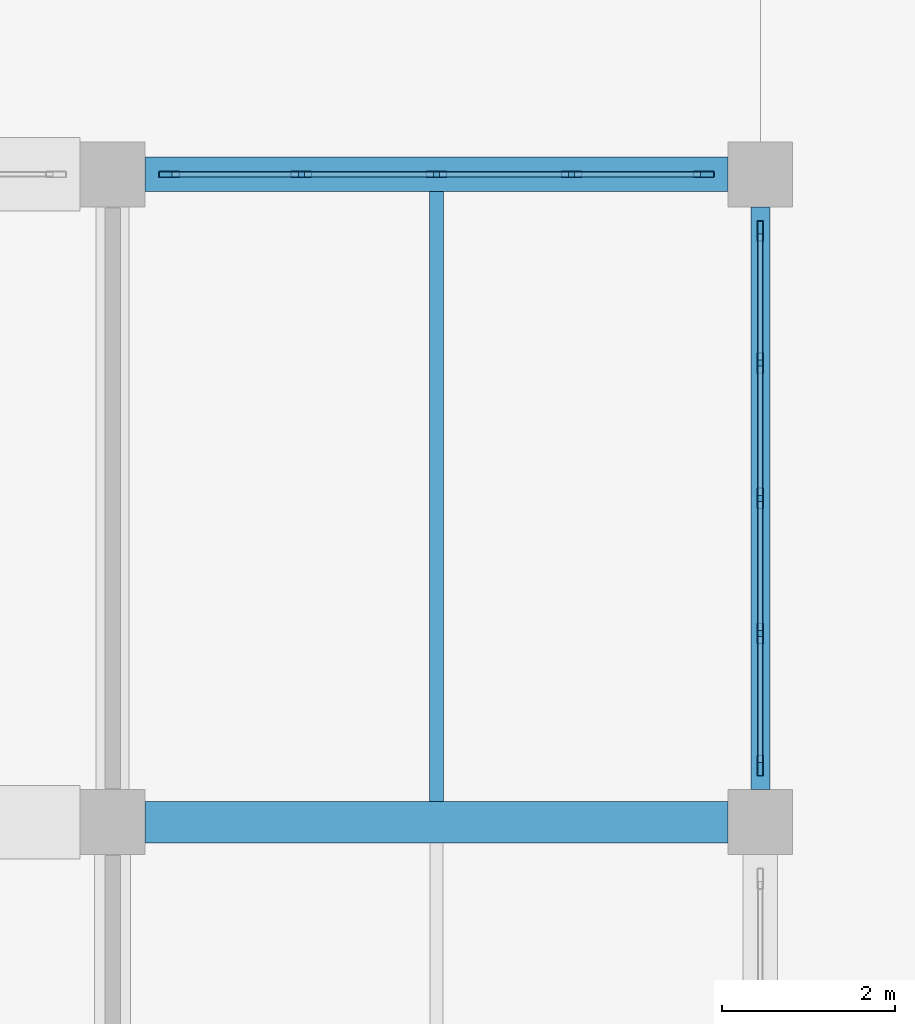
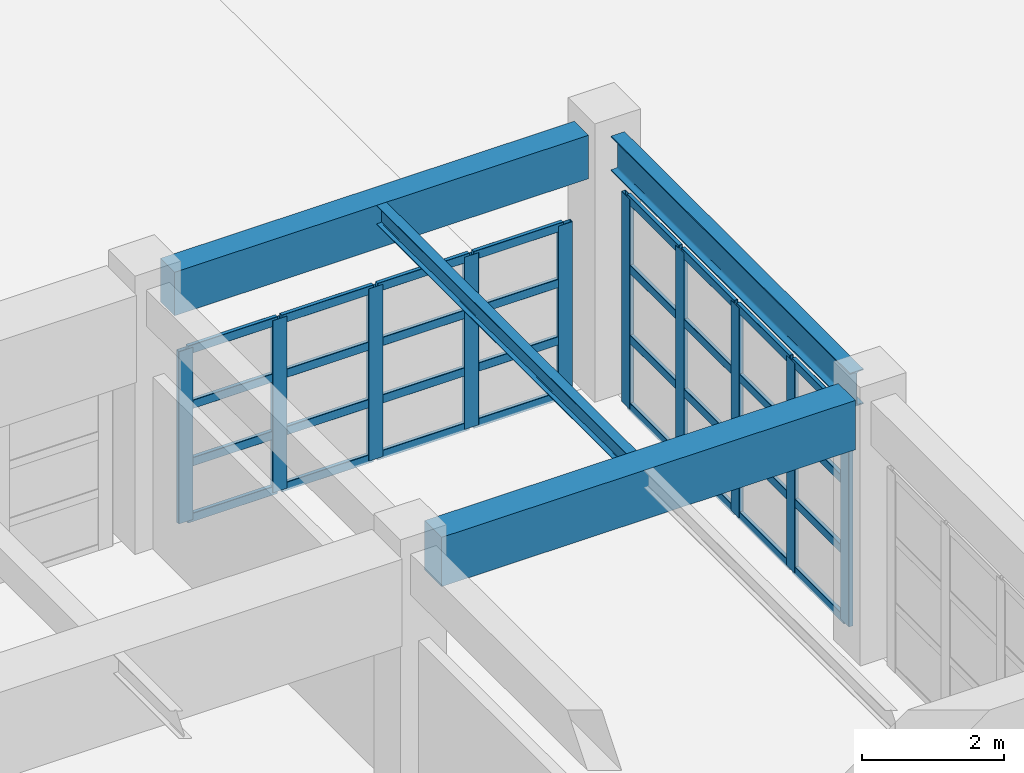
# One storey, part 21 of 122: 42 members, 4 beams, 2 elements without a shape of their own.
"""IFC4 building model written with IfcOpenShell, lengths in metres."""

from ifc_helpers import new_model, si_unit, direction, frame, origin, origin_2d, place, context, subcontext, project, spatial, rectangle, hollow_rectangle, i_section, extrude, material, material_profile, profile_set, type_object, element, aggregate, save


model = new_model("IFC4")

# Units and contexts
model_context = context("Model", 3, precision=1e-05, world=origin(), true_north=direction((0.0, 1.0)))
body_context = subcontext(model_context, "Body", "Model", "MODEL_VIEW")
ifc_project = project(units=[si_unit("LENGTHUNIT", "METRE"), si_unit("AREAUNIT", "SQUARE_METRE"), si_unit("VOLUMEUNIT", "CUBIC_METRE"), si_unit("PLANEANGLEUNIT", "RADIAN"), si_unit("MASSUNIT", "GRAM", prefix="KILO")], contexts=[model_context])

# Site, building, storey
site_placement = place(None, origin())
site = spatial("IfcSite", under=ifc_project, at=site_placement, CompositionType="ELEMENT")
building_placement = place(site_placement, origin())
building = spatial("IfcBuilding", under=site, at=building_placement, Name="Qasida Concert Hall", CompositionType="ELEMENT")
storey_placement = place(building_placement, origin())
storey = spatial("IfcBuildingStorey", under=building, at=storey_placement, Name="L00", CompositionType="ELEMENT", Elevation=0.0)

# Beams
ifc_material_1 = material(Name="Concrete C40/50", Category="concrete")
ifc_material_profile_1 = material_profile(ifc_material_1, rectangle(XDim=0.47998046875, YDim=0.85009765625, at=origin_2d()), Name="RC 480x850")
ifc_profile_set_1 = profile_set([ifc_material_profile_1], Name="Concrete C40/50")
beam_type_1 = type_object("IfcBeamType", Name="BM-G6", PredefinedType="USERDEFINED", material=ifc_profile_set_1)
beam_1_placement = place(storey_placement, frame((30.375, 45.0, 4.074951171875), z_axis=(1.0, 0.0, 0.0), x_axis=(0.0, 1.0, 0.0)))
element("IfcBeam", 1, at=beam_1_placement, inside=storey, type_object=beam_type_1, Name="Primary girder 0528", ObjectType="GIRDER", PredefinedType="USERDEFINED", context=body_context, shape_type="SweptSolid", body=[
    extrude(rectangle(XDim=0.47998046875, YDim=0.85009765625, at=origin_2d()), origin(), (0.0, 0.0, 1.0), 6.75),
])
ifc_material_2 = material(Name="Steel S355J2", Category="steel")
ifc_material_profile_2 = material_profile(ifc_material_2, i_section(OverallWidth=0.159912109375, OverallDepth=0.330078125, WebThickness=0.007568359375, FlangeThickness=0.011474609375, FilletRadius=0.01806640625, at=origin_2d()), Name="IPE 330")
ifc_profile_set_2 = profile_set([ifc_material_profile_2], Name="Steel S355J2")
beam_type_2 = type_object("IfcBeamType", Name="BM-J5", PredefinedType="JOIST", material=ifc_profile_set_2)
beam_2_placement = place(storey_placement, frame((33.75, 45.239990234375, 4.3349609375), z_axis=(0.0, 1.0, 0.0), x_axis=(-1.0, 0.0, 0.0)))
element("IfcBeam", 2, at=beam_2_placement, inside=storey, type_object=beam_type_2, Name="L00 secondary joist 0588", PredefinedType="JOIST", context=body_context, shape_type="SweptSolid", body=[
    extrude(i_section(OverallWidth=0.159912109375, OverallDepth=0.330078125, WebThickness=0.007568359375, FlangeThickness=0.011474609375, FilletRadius=0.01806640625, at=origin_2d()), origin(), (0.0, 0.0, 1.0), 7.06005859375),
])
ifc_material_profile_3 = material_profile(ifc_material_1, rectangle(XDim=0.39990234375, YDim=0.75, at=origin_2d()), Name="RC 400x750")
ifc_profile_set_3 = profile_set([ifc_material_profile_3], Name="Concrete C40/50")
beam_type_3 = type_object("IfcBeamType", Name="BM-SP1", PredefinedType="SPANDREL", material=ifc_profile_set_3)
beam_3_placement = place(storey_placement, frame((30.375, 52.5, 4.125), z_axis=(1.0, 0.0, 0.0), x_axis=(0.0, 1.0, 0.0)))
element("IfcBeam", 3, at=beam_3_placement, inside=storey, type_object=beam_type_3, Name="Primary girder 0531", PredefinedType="SPANDREL", context=body_context, shape_type="SweptSolid", body=[
    extrude(rectangle(XDim=0.39990234375, YDim=0.75, at=origin_2d()), origin(), (0.0, 0.0, 1.0), 6.75),
])
ifc_material_profile_4 = material_profile(ifc_material_2, i_section(OverallWidth=0.219970703125, OverallDepth=0.60009765625, WebThickness=0.011962890625, FlangeThickness=0.01904296875, FilletRadius=0.02392578125, at=origin_2d()), Name="IPE 600")
ifc_profile_set_4 = profile_set([ifc_material_profile_4], Name="Steel S355J2")
beam_type_4 = type_object("IfcBeamType", Name="BM-SP3", PredefinedType="SPANDREL", material=ifc_profile_set_4)
beam_4_placement = place(storey_placement, frame((37.5, 45.375, 4.199951171875), z_axis=(0.0, 1.0, 0.0), x_axis=(-1.0, 0.0, 0.0)))
element("IfcBeam", 4, at=beam_4_placement, inside=storey, type_object=beam_type_4, Name="L00 girder 0559", PredefinedType="SPANDREL", context=body_context, shape_type="SweptSolid", body=[
    extrude(i_section(OverallWidth=0.219970703125, OverallDepth=0.60009765625, WebThickness=0.011962890625, FlangeThickness=0.01904296875, FilletRadius=0.02392578125, at=origin_2d()), origin(), (0.0, 0.0, 1.0), 6.75),
])

# Curtain wall, members
ifc_material_3 = material(Name="Architectural bronze-anodized aluminium and low-E glass", Category="aluminium")
curtain_wall_type = type_object("IfcCurtainWallType", Name="CW-06", PredefinedType="NOTDEFINED", material=ifc_material_3)
curtain_wall_1_placement = place(storey_placement, origin())
curtain_wall_1 = element("IfcCurtainWall", 5, at=curtain_wall_1_placement, inside=storey, type_object=curtain_wall_type, Name="L00 curtain wall CW-06 0072", PredefinedType="NOTDEFINED")
ifc_material_4 = material(Name="Architectural bronze-anodized aluminium EN AW-6063", Category="aluminium")
ifc_material_profile_5 = material_profile(ifc_material_4, hollow_rectangle(XDim=0.070068359375, YDim=0.239990234375, WallThickness=0.0048828125, InnerFilletRadius=0.0048828125, OuterFilletRadius=0.010009765625, at=origin_2d()), Name="CWM 240x70x5")
ifc_profile_set_5 = profile_set([ifc_material_profile_5], Name="Architectural bronze-anodized aluminium EN AW-6063")
member_type_1 = type_object("IfcMemberType", Name="MB-CWM-1", PredefinedType="MULLION", material=ifc_profile_set_5)
member_1_placement = place(storey_placement, frame((30.655029296875, 52.5, 0.0), z_axis=(0.0, 0.0, 1.0), x_axis=(0.0, 1.0, 0.0)))
member_1 = element("IfcMember", 6, at=member_1_placement, type_object=member_type_1, Name="CW-06 mullion 1", PredefinedType="MULLION", context=body_context, shape_type="SweptSolid", body=[
    extrude(hollow_rectangle(XDim=0.070068359375, YDim=0.239990234375, WallThickness=0.0048828125, InnerFilletRadius=0.0048828125, OuterFilletRadius=0.010009765625, at=origin_2d()), origin(), (0.0, 0.0, 1.0), 2.969970703125),
])
member_2_placement = place(storey_placement, frame((32.18505859375, 52.5, 0.0), z_axis=(0.0, 0.0, 1.0), x_axis=(0.0, 1.0, 0.0)))
member_2 = element("IfcMember", 7, at=member_2_placement, type_object=member_type_1, Name="CW-06 mullion 2", PredefinedType="MULLION", context=body_context, shape_type="SweptSolid", body=[
    extrude(hollow_rectangle(XDim=0.070068359375, YDim=0.239990234375, WallThickness=0.0048828125, InnerFilletRadius=0.0048828125, OuterFilletRadius=0.010009765625, at=origin_2d()), origin(), (0.0, 0.0, 1.0), 2.969970703125),
])
member_3_placement = place(storey_placement, frame((33.75, 52.5, 0.0), z_axis=(0.0, 0.0, 1.0), x_axis=(0.0, 1.0, 0.0)))
member_3 = element("IfcMember", 8, at=member_3_placement, type_object=member_type_1, Name="CW-06 mullion 3", PredefinedType="MULLION", context=body_context, shape_type="SweptSolid", body=[
    extrude(hollow_rectangle(XDim=0.070068359375, YDim=0.239990234375, WallThickness=0.0048828125, InnerFilletRadius=0.0048828125, OuterFilletRadius=0.010009765625, at=origin_2d()), origin(), (0.0, 0.0, 1.0), 2.969970703125),
])
member_4_placement = place(storey_placement, frame((35.31494140625, 52.5, 0.0), z_axis=(0.0, 0.0, 1.0), x_axis=(0.0, 1.0, 0.0)))
member_4 = element("IfcMember", 9, at=member_4_placement, type_object=member_type_1, Name="CW-06 mullion 4", PredefinedType="MULLION", context=body_context, shape_type="SweptSolid", body=[
    extrude(hollow_rectangle(XDim=0.070068359375, YDim=0.239990234375, WallThickness=0.0048828125, InnerFilletRadius=0.0048828125, OuterFilletRadius=0.010009765625, at=origin_2d()), origin(), (0.0, 0.0, 1.0), 2.969970703125),
])
member_5_placement = place(storey_placement, frame((36.844970703125, 52.5, 0.0), z_axis=(0.0, 0.0, 1.0), x_axis=(0.0, 1.0, 0.0)))
member_5 = element("IfcMember", 10, at=member_5_placement, type_object=member_type_1, Name="CW-06 mullion 5", PredefinedType="MULLION", context=body_context, shape_type="SweptSolid", body=[
    extrude(hollow_rectangle(XDim=0.070068359375, YDim=0.239990234375, WallThickness=0.0048828125, InnerFilletRadius=0.0048828125, OuterFilletRadius=0.010009765625, at=origin_2d()), origin(), (0.0, 0.0, 1.0), 2.969970703125),
])

curtain_wall_2_placement = place(storey_placement, origin())
curtain_wall_2 = element("IfcCurtainWall", 11, at=curtain_wall_2_placement, inside=storey, type_object=curtain_wall_type, Name="L00 curtain wall CW-06 0080", PredefinedType="NOTDEFINED")
member_6_placement = place(storey_placement, frame((37.5, 45.655029296875, 0.0), z_axis=(0.0, 0.0, 1.0), x_axis=(-1.0, 0.0, 0.0)))
member_6 = element("IfcMember", 12, at=member_6_placement, type_object=member_type_1, Name="CW-06 mullion 1", PredefinedType="MULLION", context=body_context, shape_type="SweptSolid", body=[
    extrude(hollow_rectangle(XDim=0.070068359375, YDim=0.239990234375, WallThickness=0.0048828125, InnerFilletRadius=0.0048828125, OuterFilletRadius=0.010009765625, at=origin_2d()), origin(), (0.0, 0.0, 1.0), 3.6201171875),
])
member_7_placement = place(storey_placement, frame((37.5, 47.18505859375, 0.0), z_axis=(0.0, 0.0, 1.0), x_axis=(-1.0, 0.0, 0.0)))
member_7 = element("IfcMember", 13, at=member_7_placement, type_object=member_type_1, Name="CW-06 mullion 2", PredefinedType="MULLION", context=body_context, shape_type="SweptSolid", body=[
    extrude(hollow_rectangle(XDim=0.070068359375, YDim=0.239990234375, WallThickness=0.0048828125, InnerFilletRadius=0.0048828125, OuterFilletRadius=0.010009765625, at=origin_2d()), origin(), (0.0, 0.0, 1.0), 3.6201171875),
])
member_8_placement = place(storey_placement, frame((37.5, 48.75, 0.0), z_axis=(0.0, 0.0, 1.0), x_axis=(-1.0, 0.0, 0.0)))
member_8 = element("IfcMember", 14, at=member_8_placement, type_object=member_type_1, Name="CW-06 mullion 3", PredefinedType="MULLION", context=body_context, shape_type="SweptSolid", body=[
    extrude(hollow_rectangle(XDim=0.070068359375, YDim=0.239990234375, WallThickness=0.0048828125, InnerFilletRadius=0.0048828125, OuterFilletRadius=0.010009765625, at=origin_2d()), origin(), (0.0, 0.0, 1.0), 3.6201171875),
])
member_9_placement = place(storey_placement, frame((37.5, 50.31494140625, 0.0), z_axis=(0.0, 0.0, 1.0), x_axis=(-1.0, 0.0, 0.0)))
member_9 = element("IfcMember", 15, at=member_9_placement, type_object=member_type_1, Name="CW-06 mullion 4", PredefinedType="MULLION", context=body_context, shape_type="SweptSolid", body=[
    extrude(hollow_rectangle(XDim=0.070068359375, YDim=0.239990234375, WallThickness=0.0048828125, InnerFilletRadius=0.0048828125, OuterFilletRadius=0.010009765625, at=origin_2d()), origin(), (0.0, 0.0, 1.0), 3.6201171875),
])
member_10_placement = place(storey_placement, frame((37.5, 51.844970703125, 0.0), z_axis=(0.0, 0.0, 1.0), x_axis=(-1.0, 0.0, 0.0)))
member_10 = element("IfcMember", 16, at=member_10_placement, type_object=member_type_1, Name="CW-06 mullion 5", PredefinedType="MULLION", context=body_context, shape_type="SweptSolid", body=[
    extrude(hollow_rectangle(XDim=0.070068359375, YDim=0.239990234375, WallThickness=0.0048828125, InnerFilletRadius=0.0048828125, OuterFilletRadius=0.010009765625, at=origin_2d()), origin(), (0.0, 0.0, 1.0), 3.6201171875),
])

# Member
ifc_material_profile_6 = material_profile(ifc_material_4, hollow_rectangle(XDim=0.06494140625, YDim=0.14990234375, WallThickness=0.00390625, InnerFilletRadius=0.00390625, OuterFilletRadius=0.008056640625, at=origin_2d()), Name="CWT 150x65x4")
ifc_profile_set_6 = profile_set([ifc_material_profile_6], Name="Architectural bronze-anodized aluminium EN AW-6063")
member_type_2 = type_object("IfcMemberType", Name="MB-CWT-1", PredefinedType="USERDEFINED", material=ifc_profile_set_6)
member_11_placement = place(storey_placement, frame((30.68994140625, 52.5, 0.032470703125), z_axis=(1.0, 0.0, 0.0), x_axis=(0.0, 1.0, 0.0)))
member_11 = element("IfcMember", 17, at=member_11_placement, type_object=member_type_2, Name="CW-06 transom 1.1", ObjectType="TRANSOM", PredefinedType="USERDEFINED", context=body_context, shape_type="SweptSolid", body=[
    extrude(hollow_rectangle(XDim=0.06494140625, YDim=0.14990234375, WallThickness=0.00390625, InnerFilletRadius=0.00390625, OuterFilletRadius=0.008056640625, at=origin_2d()), origin(), (0.0, 0.0, 1.0), 1.4599609375),
])

member_12_placement = place(storey_placement, frame((30.68994140625, 52.5, 0.989990234375), z_axis=(1.0, 0.0, 0.0), x_axis=(0.0, 1.0, 0.0)))
member_12 = element("IfcMember", 18, at=member_12_placement, type_object=member_type_2, Name="CW-06 transom 1.2", ObjectType="TRANSOM", PredefinedType="USERDEFINED", context=body_context, shape_type="SweptSolid", body=[
    extrude(hollow_rectangle(XDim=0.06494140625, YDim=0.14990234375, WallThickness=0.00390625, InnerFilletRadius=0.00390625, OuterFilletRadius=0.008056640625, at=origin_2d()), origin(), (0.0, 0.0, 1.0), 1.4599609375),
])

member_13_placement = place(storey_placement, frame((30.68994140625, 52.5, 1.97998046875), z_axis=(1.0, 0.0, 0.0), x_axis=(0.0, 1.0, 0.0)))
member_13 = element("IfcMember", 19, at=member_13_placement, type_object=member_type_2, Name="CW-06 transom 1.3", ObjectType="TRANSOM", PredefinedType="USERDEFINED", context=body_context, shape_type="SweptSolid", body=[
    extrude(hollow_rectangle(XDim=0.06494140625, YDim=0.14990234375, WallThickness=0.00390625, InnerFilletRadius=0.00390625, OuterFilletRadius=0.008056640625, at=origin_2d()), origin(), (0.0, 0.0, 1.0), 1.4599609375),
])

member_14_placement = place(storey_placement, frame((30.68994140625, 52.5, 2.9375), z_axis=(1.0, 0.0, 0.0), x_axis=(0.0, 1.0, 0.0)))
member_14 = element("IfcMember", 20, at=member_14_placement, type_object=member_type_2, Name="CW-06 transom 1.4", ObjectType="TRANSOM", PredefinedType="USERDEFINED", context=body_context, shape_type="SweptSolid", body=[
    extrude(hollow_rectangle(XDim=0.06494140625, YDim=0.14990234375, WallThickness=0.00390625, InnerFilletRadius=0.00390625, OuterFilletRadius=0.008056640625, at=origin_2d()), origin(), (0.0, 0.0, 1.0), 1.4599609375),
])

member_15_placement = place(storey_placement, frame((32.219970703125, 52.5, 0.032470703125), z_axis=(1.0, 0.0, 0.0), x_axis=(0.0, 1.0, 0.0)))
member_15 = element("IfcMember", 21, at=member_15_placement, type_object=member_type_2, Name="CW-06 transom 2.1", ObjectType="TRANSOM", PredefinedType="USERDEFINED", context=body_context, shape_type="SweptSolid", body=[
    extrude(hollow_rectangle(XDim=0.06494140625, YDim=0.14990234375, WallThickness=0.00390625, InnerFilletRadius=0.00390625, OuterFilletRadius=0.008056640625, at=origin_2d()), origin(), (0.0, 0.0, 1.0), 1.4951171875),
])

member_16_placement = place(storey_placement, frame((32.219970703125, 52.5, 0.989990234375), z_axis=(1.0, 0.0, 0.0), x_axis=(0.0, 1.0, 0.0)))
member_16 = element("IfcMember", 22, at=member_16_placement, type_object=member_type_2, Name="CW-06 transom 2.2", ObjectType="TRANSOM", PredefinedType="USERDEFINED", context=body_context, shape_type="SweptSolid", body=[
    extrude(hollow_rectangle(XDim=0.06494140625, YDim=0.14990234375, WallThickness=0.00390625, InnerFilletRadius=0.00390625, OuterFilletRadius=0.008056640625, at=origin_2d()), origin(), (0.0, 0.0, 1.0), 1.4951171875),
])

member_17_placement = place(storey_placement, frame((32.219970703125, 52.5, 1.97998046875), z_axis=(1.0, 0.0, 0.0), x_axis=(0.0, 1.0, 0.0)))
member_17 = element("IfcMember", 23, at=member_17_placement, type_object=member_type_2, Name="CW-06 transom 2.3", ObjectType="TRANSOM", PredefinedType="USERDEFINED", context=body_context, shape_type="SweptSolid", body=[
    extrude(hollow_rectangle(XDim=0.06494140625, YDim=0.14990234375, WallThickness=0.00390625, InnerFilletRadius=0.00390625, OuterFilletRadius=0.008056640625, at=origin_2d()), origin(), (0.0, 0.0, 1.0), 1.4951171875),
])

member_18_placement = place(storey_placement, frame((32.219970703125, 52.5, 2.9375), z_axis=(1.0, 0.0, 0.0), x_axis=(0.0, 1.0, 0.0)))
member_18 = element("IfcMember", 24, at=member_18_placement, type_object=member_type_2, Name="CW-06 transom 2.4", ObjectType="TRANSOM", PredefinedType="USERDEFINED", context=body_context, shape_type="SweptSolid", body=[
    extrude(hollow_rectangle(XDim=0.06494140625, YDim=0.14990234375, WallThickness=0.00390625, InnerFilletRadius=0.00390625, OuterFilletRadius=0.008056640625, at=origin_2d()), origin(), (0.0, 0.0, 1.0), 1.4951171875),
])

member_19_placement = place(storey_placement, frame((33.784912109375, 52.5, 0.032470703125), z_axis=(1.0, 0.0, 0.0), x_axis=(0.0, 1.0, 0.0)))
member_19 = element("IfcMember", 25, at=member_19_placement, type_object=member_type_2, Name="CW-06 transom 3.1", ObjectType="TRANSOM", PredefinedType="USERDEFINED", context=body_context, shape_type="SweptSolid", body=[
    extrude(hollow_rectangle(XDim=0.06494140625, YDim=0.14990234375, WallThickness=0.00390625, InnerFilletRadius=0.00390625, OuterFilletRadius=0.008056640625, at=origin_2d()), origin(), (0.0, 0.0, 1.0), 1.4951171875),
])

member_20_placement = place(storey_placement, frame((33.784912109375, 52.5, 0.989990234375), z_axis=(1.0, 0.0, 0.0), x_axis=(0.0, 1.0, 0.0)))
member_20 = element("IfcMember", 26, at=member_20_placement, type_object=member_type_2, Name="CW-06 transom 3.2", ObjectType="TRANSOM", PredefinedType="USERDEFINED", context=body_context, shape_type="SweptSolid", body=[
    extrude(hollow_rectangle(XDim=0.06494140625, YDim=0.14990234375, WallThickness=0.00390625, InnerFilletRadius=0.00390625, OuterFilletRadius=0.008056640625, at=origin_2d()), origin(), (0.0, 0.0, 1.0), 1.4951171875),
])

member_21_placement = place(storey_placement, frame((33.784912109375, 52.5, 1.97998046875), z_axis=(1.0, 0.0, 0.0), x_axis=(0.0, 1.0, 0.0)))
member_21 = element("IfcMember", 27, at=member_21_placement, type_object=member_type_2, Name="CW-06 transom 3.3", ObjectType="TRANSOM", PredefinedType="USERDEFINED", context=body_context, shape_type="SweptSolid", body=[
    extrude(hollow_rectangle(XDim=0.06494140625, YDim=0.14990234375, WallThickness=0.00390625, InnerFilletRadius=0.00390625, OuterFilletRadius=0.008056640625, at=origin_2d()), origin(), (0.0, 0.0, 1.0), 1.4951171875),
])

member_22_placement = place(storey_placement, frame((33.784912109375, 52.5, 2.9375), z_axis=(1.0, 0.0, 0.0), x_axis=(0.0, 1.0, 0.0)))
member_22 = element("IfcMember", 28, at=member_22_placement, type_object=member_type_2, Name="CW-06 transom 3.4", ObjectType="TRANSOM", PredefinedType="USERDEFINED", context=body_context, shape_type="SweptSolid", body=[
    extrude(hollow_rectangle(XDim=0.06494140625, YDim=0.14990234375, WallThickness=0.00390625, InnerFilletRadius=0.00390625, OuterFilletRadius=0.008056640625, at=origin_2d()), origin(), (0.0, 0.0, 1.0), 1.4951171875),
])

member_23_placement = place(storey_placement, frame((35.35009765625, 52.5, 0.032470703125), z_axis=(1.0, 0.0, 0.0), x_axis=(0.0, 1.0, 0.0)))
member_23 = element("IfcMember", 29, at=member_23_placement, type_object=member_type_2, Name="CW-06 transom 4.1", ObjectType="TRANSOM", PredefinedType="USERDEFINED", context=body_context, shape_type="SweptSolid", body=[
    extrude(hollow_rectangle(XDim=0.06494140625, YDim=0.14990234375, WallThickness=0.00390625, InnerFilletRadius=0.00390625, OuterFilletRadius=0.008056640625, at=origin_2d()), origin(), (0.0, 0.0, 1.0), 1.4599609375),
])

member_24_placement = place(storey_placement, frame((35.35009765625, 52.5, 0.989990234375), z_axis=(1.0, 0.0, 0.0), x_axis=(0.0, 1.0, 0.0)))
member_24 = element("IfcMember", 30, at=member_24_placement, type_object=member_type_2, Name="CW-06 transom 4.2", ObjectType="TRANSOM", PredefinedType="USERDEFINED", context=body_context, shape_type="SweptSolid", body=[
    extrude(hollow_rectangle(XDim=0.06494140625, YDim=0.14990234375, WallThickness=0.00390625, InnerFilletRadius=0.00390625, OuterFilletRadius=0.008056640625, at=origin_2d()), origin(), (0.0, 0.0, 1.0), 1.4599609375),
])

member_25_placement = place(storey_placement, frame((35.35009765625, 52.5, 1.97998046875), z_axis=(1.0, 0.0, 0.0), x_axis=(0.0, 1.0, 0.0)))
member_25 = element("IfcMember", 31, at=member_25_placement, type_object=member_type_2, Name="CW-06 transom 4.3", ObjectType="TRANSOM", PredefinedType="USERDEFINED", context=body_context, shape_type="SweptSolid", body=[
    extrude(hollow_rectangle(XDim=0.06494140625, YDim=0.14990234375, WallThickness=0.00390625, InnerFilletRadius=0.00390625, OuterFilletRadius=0.008056640625, at=origin_2d()), origin(), (0.0, 0.0, 1.0), 1.4599609375),
])

member_26_placement = place(storey_placement, frame((35.35009765625, 52.5, 2.9375), z_axis=(1.0, 0.0, 0.0), x_axis=(0.0, 1.0, 0.0)))
member_26 = element("IfcMember", 32, at=member_26_placement, type_object=member_type_2, Name="CW-06 transom 4.4", ObjectType="TRANSOM", PredefinedType="USERDEFINED", context=body_context, shape_type="SweptSolid", body=[
    extrude(hollow_rectangle(XDim=0.06494140625, YDim=0.14990234375, WallThickness=0.00390625, InnerFilletRadius=0.00390625, OuterFilletRadius=0.008056640625, at=origin_2d()), origin(), (0.0, 0.0, 1.0), 1.4599609375),
])

aggregate(curtain_wall_1, [member_1, member_2, member_3, member_4, member_5, member_11, member_12, member_13, member_14, member_15, member_16, member_17, member_18, member_19, member_20, member_21, member_22, member_23, member_24, member_25, member_26])

member_27_placement = place(storey_placement, frame((37.5, 45.68994140625, 0.032470703125), z_axis=(0.0, 1.0, 0.0), x_axis=(-1.0, 0.0, 0.0)))
member_27 = element("IfcMember", 33, at=member_27_placement, type_object=member_type_2, Name="CW-06 transom 1.1", ObjectType="TRANSOM", PredefinedType="USERDEFINED", context=body_context, shape_type="SweptSolid", body=[
    extrude(hollow_rectangle(XDim=0.06494140625, YDim=0.14990234375, WallThickness=0.00390625, InnerFilletRadius=0.00390625, OuterFilletRadius=0.008056640625, at=origin_2d()), origin(), (0.0, 0.0, 1.0), 1.4599609375),
])

member_28_placement = place(storey_placement, frame((37.5, 45.68994140625, 1.206787109375), z_axis=(0.0, 1.0, 0.0), x_axis=(-1.0, 0.0, 0.0)))
member_28 = element("IfcMember", 34, at=member_28_placement, type_object=member_type_2, Name="CW-06 transom 1.2", ObjectType="TRANSOM", PredefinedType="USERDEFINED", context=body_context, shape_type="SweptSolid", body=[
    extrude(hollow_rectangle(XDim=0.06494140625, YDim=0.14990234375, WallThickness=0.00390625, InnerFilletRadius=0.00390625, OuterFilletRadius=0.008056640625, at=origin_2d()), origin(), (0.0, 0.0, 1.0), 1.4599609375),
])

member_29_placement = place(storey_placement, frame((37.5, 45.68994140625, 2.413330078125), z_axis=(0.0, 1.0, 0.0), x_axis=(-1.0, 0.0, 0.0)))
member_29 = element("IfcMember", 35, at=member_29_placement, type_object=member_type_2, Name="CW-06 transom 1.3", ObjectType="TRANSOM", PredefinedType="USERDEFINED", context=body_context, shape_type="SweptSolid", body=[
    extrude(hollow_rectangle(XDim=0.06494140625, YDim=0.14990234375, WallThickness=0.00390625, InnerFilletRadius=0.00390625, OuterFilletRadius=0.008056640625, at=origin_2d()), origin(), (0.0, 0.0, 1.0), 1.4599609375),
])

member_30_placement = place(storey_placement, frame((37.5, 45.68994140625, 3.58740234375), z_axis=(0.0, 1.0, 0.0), x_axis=(-1.0, 0.0, 0.0)))
member_30 = element("IfcMember", 36, at=member_30_placement, type_object=member_type_2, Name="CW-06 transom 1.4", ObjectType="TRANSOM", PredefinedType="USERDEFINED", context=body_context, shape_type="SweptSolid", body=[
    extrude(hollow_rectangle(XDim=0.06494140625, YDim=0.14990234375, WallThickness=0.00390625, InnerFilletRadius=0.00390625, OuterFilletRadius=0.008056640625, at=origin_2d()), origin(), (0.0, 0.0, 1.0), 1.4599609375),
])

member_31_placement = place(storey_placement, frame((37.5, 47.219970703125, 0.032470703125), z_axis=(0.0, 1.0, 0.0), x_axis=(-1.0, 0.0, 0.0)))
member_31 = element("IfcMember", 37, at=member_31_placement, type_object=member_type_2, Name="CW-06 transom 2.1", ObjectType="TRANSOM", PredefinedType="USERDEFINED", context=body_context, shape_type="SweptSolid", body=[
    extrude(hollow_rectangle(XDim=0.06494140625, YDim=0.14990234375, WallThickness=0.00390625, InnerFilletRadius=0.00390625, OuterFilletRadius=0.008056640625, at=origin_2d()), origin(), (0.0, 0.0, 1.0), 1.4951171875),
])

member_32_placement = place(storey_placement, frame((37.5, 47.219970703125, 1.206787109375), z_axis=(0.0, 1.0, 0.0), x_axis=(-1.0, 0.0, 0.0)))
member_32 = element("IfcMember", 38, at=member_32_placement, type_object=member_type_2, Name="CW-06 transom 2.2", ObjectType="TRANSOM", PredefinedType="USERDEFINED", context=body_context, shape_type="SweptSolid", body=[
    extrude(hollow_rectangle(XDim=0.06494140625, YDim=0.14990234375, WallThickness=0.00390625, InnerFilletRadius=0.00390625, OuterFilletRadius=0.008056640625, at=origin_2d()), origin(), (0.0, 0.0, 1.0), 1.4951171875),
])

member_33_placement = place(storey_placement, frame((37.5, 47.219970703125, 2.413330078125), z_axis=(0.0, 1.0, 0.0), x_axis=(-1.0, 0.0, 0.0)))
member_33 = element("IfcMember", 39, at=member_33_placement, type_object=member_type_2, Name="CW-06 transom 2.3", ObjectType="TRANSOM", PredefinedType="USERDEFINED", context=body_context, shape_type="SweptSolid", body=[
    extrude(hollow_rectangle(XDim=0.06494140625, YDim=0.14990234375, WallThickness=0.00390625, InnerFilletRadius=0.00390625, OuterFilletRadius=0.008056640625, at=origin_2d()), origin(), (0.0, 0.0, 1.0), 1.4951171875),
])

member_34_placement = place(storey_placement, frame((37.5, 47.219970703125, 3.58740234375), z_axis=(0.0, 1.0, 0.0), x_axis=(-1.0, 0.0, 0.0)))
member_34 = element("IfcMember", 40, at=member_34_placement, type_object=member_type_2, Name="CW-06 transom 2.4", ObjectType="TRANSOM", PredefinedType="USERDEFINED", context=body_context, shape_type="SweptSolid", body=[
    extrude(hollow_rectangle(XDim=0.06494140625, YDim=0.14990234375, WallThickness=0.00390625, InnerFilletRadius=0.00390625, OuterFilletRadius=0.008056640625, at=origin_2d()), origin(), (0.0, 0.0, 1.0), 1.4951171875),
])

member_35_placement = place(storey_placement, frame((37.5, 48.784912109375, 0.032470703125), z_axis=(0.0, 1.0, 0.0), x_axis=(-1.0, 0.0, 0.0)))
member_35 = element("IfcMember", 41, at=member_35_placement, type_object=member_type_2, Name="CW-06 transom 3.1", ObjectType="TRANSOM", PredefinedType="USERDEFINED", context=body_context, shape_type="SweptSolid", body=[
    extrude(hollow_rectangle(XDim=0.06494140625, YDim=0.14990234375, WallThickness=0.00390625, InnerFilletRadius=0.00390625, OuterFilletRadius=0.008056640625, at=origin_2d()), origin(), (0.0, 0.0, 1.0), 1.4951171875),
])

member_36_placement = place(storey_placement, frame((37.5, 48.784912109375, 1.206787109375), z_axis=(0.0, 1.0, 0.0), x_axis=(-1.0, 0.0, 0.0)))
member_36 = element("IfcMember", 42, at=member_36_placement, type_object=member_type_2, Name="CW-06 transom 3.2", ObjectType="TRANSOM", PredefinedType="USERDEFINED", context=body_context, shape_type="SweptSolid", body=[
    extrude(hollow_rectangle(XDim=0.06494140625, YDim=0.14990234375, WallThickness=0.00390625, InnerFilletRadius=0.00390625, OuterFilletRadius=0.008056640625, at=origin_2d()), origin(), (0.0, 0.0, 1.0), 1.4951171875),
])

member_37_placement = place(storey_placement, frame((37.5, 48.784912109375, 2.413330078125), z_axis=(0.0, 1.0, 0.0), x_axis=(-1.0, 0.0, 0.0)))
member_37 = element("IfcMember", 43, at=member_37_placement, type_object=member_type_2, Name="CW-06 transom 3.3", ObjectType="TRANSOM", PredefinedType="USERDEFINED", context=body_context, shape_type="SweptSolid", body=[
    extrude(hollow_rectangle(XDim=0.06494140625, YDim=0.14990234375, WallThickness=0.00390625, InnerFilletRadius=0.00390625, OuterFilletRadius=0.008056640625, at=origin_2d()), origin(), (0.0, 0.0, 1.0), 1.4951171875),
])

member_38_placement = place(storey_placement, frame((37.5, 48.784912109375, 3.58740234375), z_axis=(0.0, 1.0, 0.0), x_axis=(-1.0, 0.0, 0.0)))
member_38 = element("IfcMember", 44, at=member_38_placement, type_object=member_type_2, Name="CW-06 transom 3.4", ObjectType="TRANSOM", PredefinedType="USERDEFINED", context=body_context, shape_type="SweptSolid", body=[
    extrude(hollow_rectangle(XDim=0.06494140625, YDim=0.14990234375, WallThickness=0.00390625, InnerFilletRadius=0.00390625, OuterFilletRadius=0.008056640625, at=origin_2d()), origin(), (0.0, 0.0, 1.0), 1.4951171875),
])

member_39_placement = place(storey_placement, frame((37.5, 50.35009765625, 0.032470703125), z_axis=(0.0, 1.0, 0.0), x_axis=(-1.0, 0.0, 0.0)))
member_39 = element("IfcMember", 45, at=member_39_placement, type_object=member_type_2, Name="CW-06 transom 4.1", ObjectType="TRANSOM", PredefinedType="USERDEFINED", context=body_context, shape_type="SweptSolid", body=[
    extrude(hollow_rectangle(XDim=0.06494140625, YDim=0.14990234375, WallThickness=0.00390625, InnerFilletRadius=0.00390625, OuterFilletRadius=0.008056640625, at=origin_2d()), origin(), (0.0, 0.0, 1.0), 1.4599609375),
])

member_40_placement = place(storey_placement, frame((37.5, 50.35009765625, 1.206787109375), z_axis=(0.0, 1.0, 0.0), x_axis=(-1.0, 0.0, 0.0)))
member_40 = element("IfcMember", 46, at=member_40_placement, type_object=member_type_2, Name="CW-06 transom 4.2", ObjectType="TRANSOM", PredefinedType="USERDEFINED", context=body_context, shape_type="SweptSolid", body=[
    extrude(hollow_rectangle(XDim=0.06494140625, YDim=0.14990234375, WallThickness=0.00390625, InnerFilletRadius=0.00390625, OuterFilletRadius=0.008056640625, at=origin_2d()), origin(), (0.0, 0.0, 1.0), 1.4599609375),
])

member_41_placement = place(storey_placement, frame((37.5, 50.35009765625, 2.413330078125), z_axis=(0.0, 1.0, 0.0), x_axis=(-1.0, 0.0, 0.0)))
member_41 = element("IfcMember", 47, at=member_41_placement, type_object=member_type_2, Name="CW-06 transom 4.3", ObjectType="TRANSOM", PredefinedType="USERDEFINED", context=body_context, shape_type="SweptSolid", body=[
    extrude(hollow_rectangle(XDim=0.06494140625, YDim=0.14990234375, WallThickness=0.00390625, InnerFilletRadius=0.00390625, OuterFilletRadius=0.008056640625, at=origin_2d()), origin(), (0.0, 0.0, 1.0), 1.4599609375),
])

member_42_placement = place(storey_placement, frame((37.5, 50.35009765625, 3.58740234375), z_axis=(0.0, 1.0, 0.0), x_axis=(-1.0, 0.0, 0.0)))
member_42 = element("IfcMember", 48, at=member_42_placement, type_object=member_type_2, Name="CW-06 transom 4.4", ObjectType="TRANSOM", PredefinedType="USERDEFINED", context=body_context, shape_type="SweptSolid", body=[
    extrude(hollow_rectangle(XDim=0.06494140625, YDim=0.14990234375, WallThickness=0.00390625, InnerFilletRadius=0.00390625, OuterFilletRadius=0.008056640625, at=origin_2d()), origin(), (0.0, 0.0, 1.0), 1.4599609375),
])

aggregate(curtain_wall_2, [member_6, member_7, member_8, member_9, member_10, member_27, member_28, member_29, member_30, member_31, member_32, member_33, member_34, member_35, member_36, member_37, member_38, member_39, member_40, member_41, member_42])

save(model, "model.ifc")
